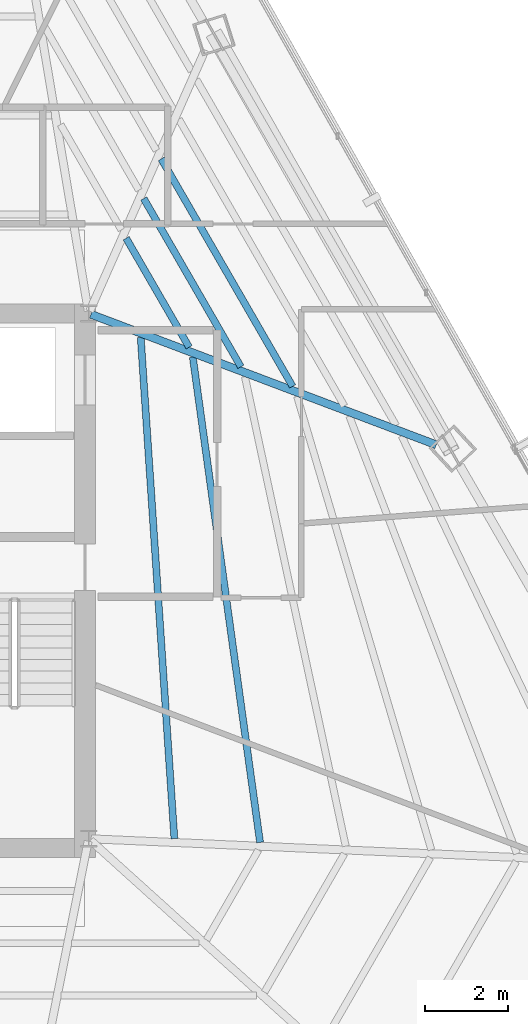
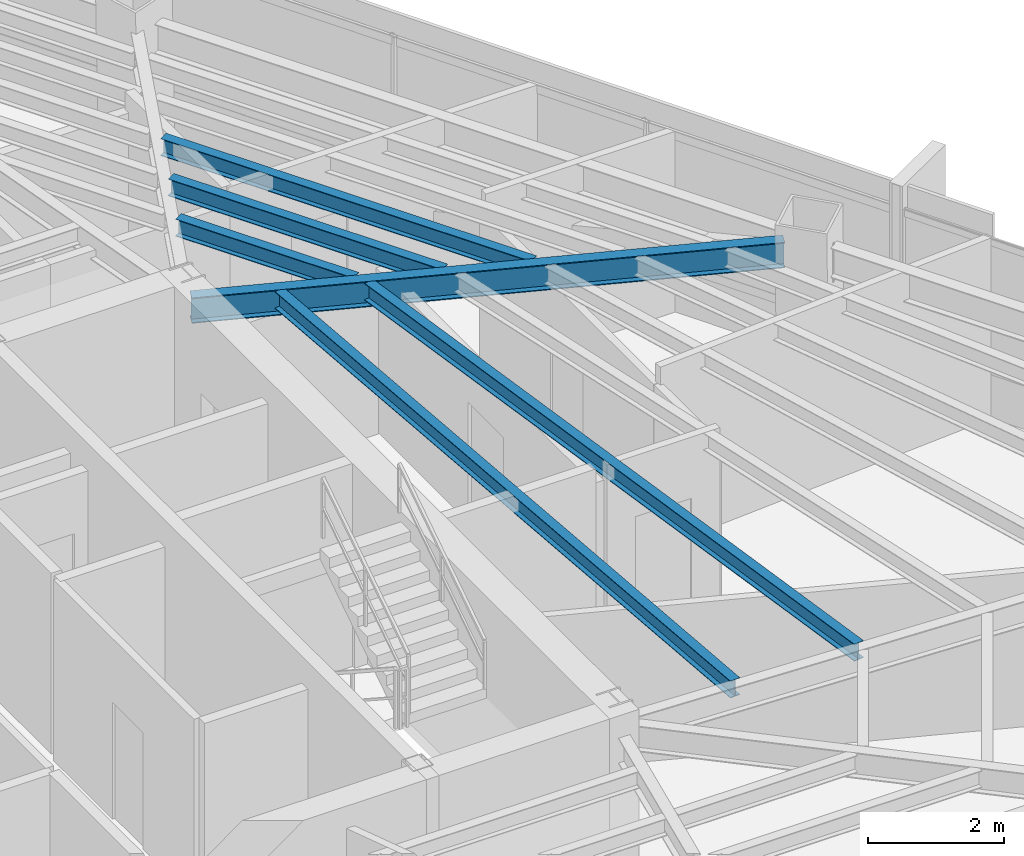
# One storey, part 25 of 40: 6 beams.
"""IFC4 building model written with IfcOpenShell, lengths in metres."""

from ifc_helpers import new_model, si_unit, direction, frame, origin, origin_2d, place, context, subcontext, project, spatial, i_section, extrude, source, transform, mapped, material, material_profile, profile_set, type_object, type_shapes, element, save


model = new_model("IFC4")

# Units and contexts
model_context = context("Model", 3, precision=1e-05, world=origin(), true_north=direction((0.0, 1.0)))
body_context = subcontext(model_context, "Body", "Model", "MODEL_VIEW")
ifc_project = project(units=[si_unit("LENGTHUNIT", "METRE"), si_unit("AREAUNIT", "SQUARE_METRE"), si_unit("VOLUMEUNIT", "CUBIC_METRE"), si_unit("PLANEANGLEUNIT", "RADIAN"), si_unit("MASSUNIT", "GRAM", prefix="KILO")], contexts=[model_context])

# Site, building, storey
site_placement = place(None, origin())
site = spatial("IfcSite", under=ifc_project, at=site_placement, CompositionType="ELEMENT")
building_placement = place(site_placement, origin())
building = spatial("IfcBuilding", under=site, at=building_placement, Name="Caelisora Broadcast Tower", CompositionType="ELEMENT")
storey_placement = place(building_placement, frame((0.0, 0.0, 216.89990234375)))
storey = spatial("IfcBuildingStorey", under=building, at=storey_placement, Name="L57", CompositionType="ELEMENT", Elevation=216.89990234375)

# Beams
ifc_material = material(Name="Steel Grade 350 (AS/NZS 3679.1)", Category="steel")
ifc_material_profile_1 = material_profile(ifc_material, i_section(OverallWidth=0.19091796875, OverallDepth=0.46044921875, WebThickness=0.010009765625, FlangeThickness=0.01611328125, at=origin_2d()), Name="Steel Grade 350 (AS/NZS 3679.1)")
ifc_profile_set_1 = profile_set([ifc_material_profile_1], Name="Steel Grade 350 (AS/NZS 3679.1)")
beam_type_1 = type_object("IfcBeamType", Name="PG06", PredefinedType="BEAM", material=ifc_profile_set_1)
shared_shape_1 = source(origin(), body_context, "Body", "SweptSolid", [
    extrude(i_section(OverallWidth=0.19091796875, OverallDepth=0.46044921875, WebThickness=0.010009765625, FlangeThickness=0.01611328125, at=origin_2d()), origin(), (0.0, 0.0, 1.0), 8.853759765625),
])
type_shapes(beam_type_1, [shared_shape_1])
beam_1_placement = place(storey_placement, frame((45.55615234375, 29.978759765625, 3.02001953125), z_axis=(0.935389820816, -0.35361827316, 0.0), x_axis=(0.35361827316, 0.935389820816, 0.0)))
element("IfcBeam", 1, at=beam_1_placement, inside=storey, type_object=beam_type_1, Name="L57 beam PG06", PredefinedType="BEAM", context=body_context, shape_type="MappedRepresentation", body=[
    mapped(shared_shape_1, transform((0.0, 0.0, 0.0), scale=1.0)),
])
ifc_material_profile_2 = material_profile(ifc_material, i_section(OverallWidth=0.166015625, OverallDepth=0.30712890625, WebThickness=0.006591796875, FlangeThickness=0.01171875, at=origin_2d()), Name="Steel Grade 350 (AS/NZS 3679.1)")
ifc_profile_set_2 = profile_set([ifc_material_profile_2], Name="Steel Grade 350 (AS/NZS 3679.1)")
beam_type_2 = type_object("IfcBeamType", Name="SB03", PredefinedType="JOIST", material=ifc_profile_set_2)
shared_shape_2 = source(origin(), body_context, "Body", "SweptSolid", [
    extrude(i_section(OverallWidth=0.166015625, OverallDepth=0.30712890625, WebThickness=0.006591796875, FlangeThickness=0.01171875, at=origin_2d()), origin(), (0.0, 0.0, 1.0), 3.01904296875),
])
beam_2_placement = place(storey_placement, frame((47.908935546875, 29.189453125, 3.096435546875), z_axis=(-0.500009459589, 0.866019942219, 0.0), x_axis=(-0.866019942219, -0.500009459589, 0.0)))
element("IfcBeam", 2, at=beam_2_placement, inside=storey, type_object=beam_type_2, Name="L57 beam SB03", PredefinedType="JOIST", context=body_context, shape_type="MappedRepresentation", body=[
    mapped(shared_shape_2, transform((0.0, 0.0, 0.0), scale=1.0)),
])
shared_shape_3 = source(origin(), body_context, "Body", "SweptSolid", [
    extrude(i_section(OverallWidth=0.166015625, OverallDepth=0.30712890625, WebThickness=0.006591796875, FlangeThickness=0.01171875, at=origin_2d()), origin(), (0.0, 0.0, 1.0), 4.659912109375),
])
beam_3_placement = place(storey_placement, frame((49.150390625, 28.72021484375, 3.096435546875), z_axis=(-0.500015719069, 0.866016328186, 0.0), x_axis=(-0.866016328186, -0.500015719069, 0.0)))
element("IfcBeam", 3, at=beam_3_placement, inside=storey, type_object=beam_type_2, Name="L57 beam SB03", PredefinedType="JOIST", context=body_context, shape_type="MappedRepresentation", body=[
    mapped(shared_shape_3, transform((0.0, 0.0, 0.0), scale=1.0)),
])
shared_shape_4 = source(origin(), body_context, "Body", "SweptSolid", [
    extrude(i_section(OverallWidth=0.166015625, OverallDepth=0.30712890625, WebThickness=0.006591796875, FlangeThickness=0.01171875, at=origin_2d()), origin(), (0.0, 0.0, 1.0), 6.301025390625),
])
beam_4_placement = place(storey_placement, frame((50.3916015625, 28.250732421875, 3.096435546875), z_axis=(-0.499972881236, 0.866041060244, 0.0), x_axis=(-0.866041060244, -0.499972881236, 0.0)))
element("IfcBeam", 4, at=beam_4_placement, inside=storey, type_object=beam_type_2, Name="L57 beam SB03", PredefinedType="JOIST", context=body_context, shape_type="MappedRepresentation", body=[
    mapped(shared_shape_4, transform((0.0, 0.0, 0.0), scale=1.0)),
])
shared_shape_5 = source(origin(), body_context, "Body", "SweptSolid", [
    extrude(i_section(OverallWidth=0.166015625, OverallDepth=0.30712890625, WebThickness=0.006591796875, FlangeThickness=0.01171875, at=origin_2d()), origin(), (0.0, 0.0, 1.0), 12.0537109375),
])
beam_5_placement = place(storey_placement, frame((47.5556640625, 17.40234375, 3.096435546875), z_axis=(-0.066981450002, 0.997754220916, 0.0), x_axis=(-0.997754220916, -0.066981450002, 0.0)))
element("IfcBeam", 5, at=beam_5_placement, inside=storey, type_object=beam_type_2, Name="L57 beam SB03", PredefinedType="JOIST", context=body_context, shape_type="MappedRepresentation", body=[
    mapped(shared_shape_5, transform((0.0, 0.0, 0.0), scale=1.0)),
])
shared_shape_6 = source(origin(), body_context, "Body", "SweptSolid", [
    extrude(i_section(OverallWidth=0.166015625, OverallDepth=0.30712890625, WebThickness=0.006591796875, FlangeThickness=0.01171875, at=origin_2d()), origin(), (0.0, 0.0, 1.0), 11.755615234375),
])
type_shapes(beam_type_2, [shared_shape_2, shared_shape_3, shared_shape_4, shared_shape_5, shared_shape_6])
beam_6_placement = place(storey_placement, frame((49.61083984375, 17.312255859375, 3.096435546875), z_axis=(-0.137256512488, 0.990535536859, 0.0), x_axis=(-0.990535536859, -0.137256512488, 0.0)))
element("IfcBeam", 6, at=beam_6_placement, inside=storey, type_object=beam_type_2, Name="L57 beam SB03", PredefinedType="JOIST", context=body_context, shape_type="MappedRepresentation", body=[
    mapped(shared_shape_6, transform((0.0, 0.0, 0.0), scale=1.0)),
])

save(model, "model.ifc")
